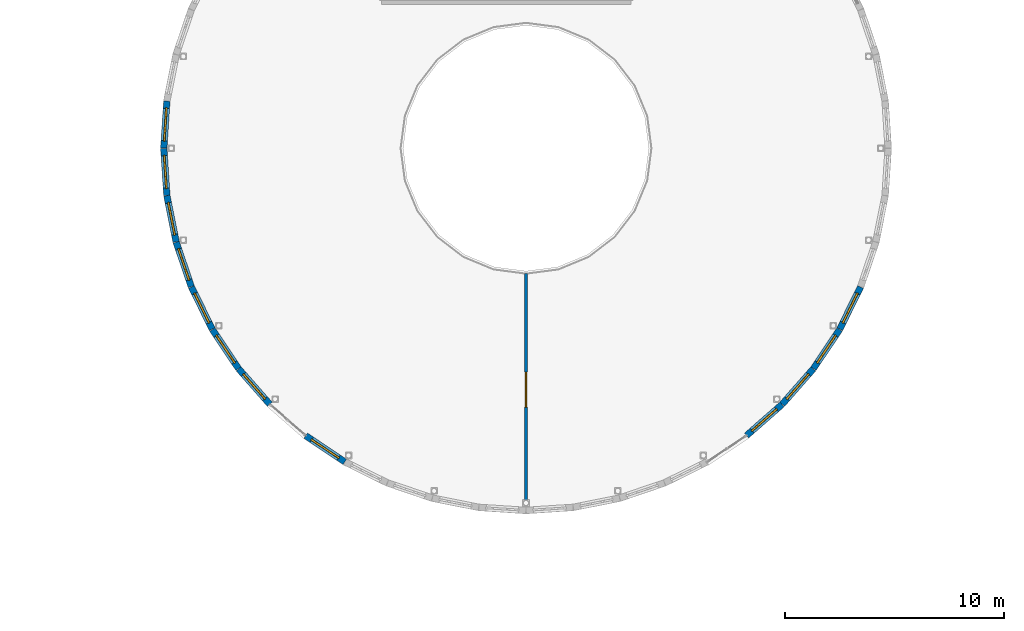
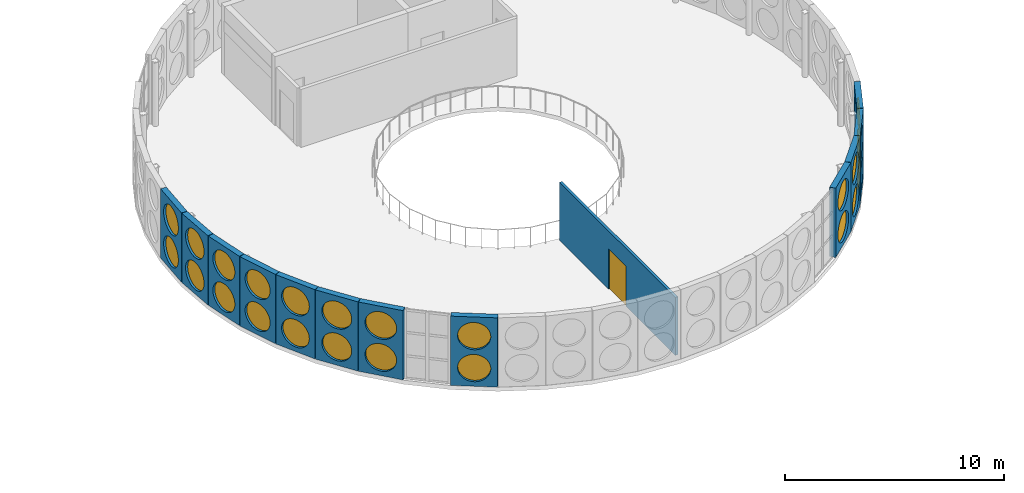
# One storey, part 86 of 114: 24 windows, 13 walls, 1 door, 25 openings.
"""IFC4 building model written with IfcOpenShell, lengths in metres."""

from ifc_helpers import new_model, si_unit, direction, frame, frame_2d, origin, place, context, subcontext, project, spatial, rectangle, circle, extrude, material, layer, layer_set, type_object, element, fill, save


model = new_model("IFC4")

# Units and contexts
model_context = context("Model", 3, precision=1e-05, world=origin(), true_north=direction((0.0, 1.0)))
body_context = subcontext(model_context, "Body", "Model", "MODEL_VIEW")
ifc_project = project(units=[si_unit("LENGTHUNIT", "METRE"), si_unit("AREAUNIT", "SQUARE_METRE"), si_unit("VOLUMEUNIT", "CUBIC_METRE"), si_unit("PLANEANGLEUNIT", "RADIAN"), si_unit("MASSUNIT", "GRAM", prefix="KILO")], contexts=[model_context])

# Site, building, storey
site_placement = place(None, origin())
site = spatial("IfcSite", under=ifc_project, at=site_placement, CompositionType="ELEMENT")
building_placement = place(site_placement, origin())
building = spatial("IfcBuilding", under=site, at=building_placement, Name="Montecoro Central Library", CompositionType="ELEMENT")
storey_placement = place(building_placement, frame((0.0, 0.0, 13.260009765625)))
storey = spatial("IfcBuildingStorey", under=building, at=storey_placement, Name="L03", CompositionType="ELEMENT", Elevation=13.260009765625)

# Wall, openings, windows
ifc_material_1 = material(Name="Travertine Roman Stone and concrete C35/45", Category="masonry")
ifc_layer_1 = layer(ifc_material_1, 0.294921875)
ifc_layer_set_1 = layer_set([ifc_layer_1], Name="Travertine Roman Stone and concrete C35/45")
wall_type_1 = type_object("IfcWallType", Name="EW-DRM-295", PredefinedType="SOLIDWALL", material=ifc_layer_set_1)
wall_1_placement = place(storey_placement, frame((75.219970703125, 37.548095703125, 0.0), z_axis=(0.0, 0.0, 1.0), x_axis=(-0.064773567518, -0.997899987449, 0.0)))
wall_1 = element("IfcWall", 1, at=wall_1_placement, inside=storey, type_object=wall_type_1, Name="V1-L03-EW-24", PredefinedType="SOLIDWALL", context=body_context, shape_type="SweptSolid", body=[
    extrude(rectangle(XDim=2.14453125, YDim=0.294921875, at=frame_2d((1.072265625, 0.0))), origin(), (0.0, 0.0, 1.0), 3.85498046875),
])
opening_1_placement = place(wall_1_placement, frame((0.31201171875, 0.0, 0.25)))
opening_1 = element("IfcOpeningElement", 2, at=opening_1_placement, cuts=wall_1, Name="Opening WP-06", PredefinedType="OPENING", context=body_context, shape_type="SweptSolid", body=[
    extrude(circle(Radius=0.760009765625, at=frame_2d((0.760009765625, 0.760009765625))), frame((0.0, 0.157470703125, 0.0), z_axis=(0.0, -1.0, 0.0), x_axis=(1.0, 0.0, 0.0)), (0.0, 0.0, 1.0), 0.31494140625),
])
opening_2_placement = place(wall_1_placement, frame((0.31201171875, 0.0, 2.030029296875)))
opening_2 = element("IfcOpeningElement", 3, at=opening_2_placement, cuts=wall_1, Name="Opening WP-05", PredefinedType="OPENING", context=body_context, shape_type="SweptSolid", body=[
    extrude(circle(Radius=0.760009765625, at=frame_2d((0.760009765625, 0.760009765625))), frame((0.0, 0.157470703125, 0.0), z_axis=(0.0, -1.0, 0.0), x_axis=(1.0, 0.0, 0.0)), (0.0, 0.0, 1.0), 0.31494140625),
])
ifc_material_2 = material(Name="Clear sky-blue low-E laminated glazing", Category="glass")
window_type_1 = type_object("IfcWindowType", Name="WN-POR-CLR-152", PartitioningType="SINGLE_PANEL", PredefinedType="WINDOW", material=ifc_material_2)
window_1_placement = place(opening_2_placement, origin())
window_1 = element("IfcWindow", 4, at=window_1_placement, inside=storey, type_object=window_type_1, Name="V1-L03-WP-24-2", OverallHeight=1.52001953125, OverallWidth=1.52001953125, PartitioningType="SINGLE_PANEL", PredefinedType="WINDOW", context=body_context, shape_type="SweptSolid", body=[
    extrude(circle(Radius=0.760009765625, at=frame_2d((0.760009765625, 0.760009765625))), frame((0.0, 0.030029296875, 0.0), z_axis=(0.0, -1.0, 0.0), x_axis=(1.0, 0.0, 0.0)), (0.0, 0.0, 1.0), 0.06005859375),
])
fill(opening_2, window_1)
ifc_material_3 = material(Name="Frosted pearl-white ceramic-fritted glazing", Category="glass")
window_type_2 = type_object("IfcWindowType", Name="WN-POR-FRT-152", PartitioningType="SINGLE_PANEL", PredefinedType="WINDOW", material=ifc_material_3)
window_2_placement = place(opening_1_placement, origin())
window_2 = element("IfcWindow", 5, at=window_2_placement, inside=storey, type_object=window_type_2, Name="V1-L03-WP-24-1", OverallHeight=1.52001953125, OverallWidth=1.52001953125, PartitioningType="SINGLE_PANEL", PredefinedType="WINDOW", context=body_context, shape_type="SweptSolid", body=[
    extrude(circle(Radius=0.760009765625, at=frame_2d((0.760009765625, 0.760009765625))), frame((0.0, 0.030029296875, 0.0), z_axis=(0.0, -1.0, 0.0), x_axis=(1.0, 0.0, 0.0)), (0.0, 0.0, 1.0), 0.06005859375),
])
fill(opening_1, window_2)

wall_2_placement = place(storey_placement, frame((75.0810546875, 35.39208984375, 0.0), z_axis=(0.0, 0.0, 1.0), x_axis=(0.064773567518, -0.997899987449, 0.0)))
wall_2 = element("IfcWall", 6, at=wall_2_placement, inside=storey, type_object=wall_type_1, Name="V1-L03-EW-25", PredefinedType="SOLIDWALL", context=body_context, shape_type="SweptSolid", body=[
    extrude(rectangle(XDim=2.14453125, YDim=0.294921875, at=frame_2d((1.072265625, 0.0))), origin(), (0.0, 0.0, 1.0), 3.85498046875),
])
opening_3_placement = place(wall_2_placement, frame((0.31201171875, 0.0, 0.25)))
opening_3 = element("IfcOpeningElement", 7, at=opening_3_placement, cuts=wall_2, Name="Opening WP-05", PredefinedType="OPENING", context=body_context, shape_type="SweptSolid", body=[
    extrude(circle(Radius=0.760009765625, at=frame_2d((0.760009765625, 0.760009765625))), frame((0.0, 0.157470703125, 0.0), z_axis=(0.0, -1.0, 0.0), x_axis=(1.0, 0.0, 0.0)), (0.0, 0.0, 1.0), 0.31494140625),
])
opening_4_placement = place(wall_2_placement, frame((0.31201171875, 0.0, 2.030029296875)))
opening_4 = element("IfcOpeningElement", 8, at=opening_4_placement, cuts=wall_2, Name="Opening WP-06", PredefinedType="OPENING", context=body_context, shape_type="SweptSolid", body=[
    extrude(circle(Radius=0.760009765625, at=frame_2d((0.760009765625, 0.760009765625))), frame((0.0, 0.157470703125, 0.0), z_axis=(0.0, -1.0, 0.0), x_axis=(1.0, 0.0, 0.0)), (0.0, 0.0, 1.0), 0.31494140625),
])
window_3_placement = place(opening_3_placement, origin())
window_3 = element("IfcWindow", 9, at=window_3_placement, inside=storey, type_object=window_type_1, Name="V1-L03-WP-25-1", OverallHeight=1.52001953125, OverallWidth=1.52001953125, PartitioningType="SINGLE_PANEL", PredefinedType="WINDOW", context=body_context, shape_type="SweptSolid", body=[
    extrude(circle(Radius=0.760009765625, at=frame_2d((0.760009765625, 0.760009765625))), frame((0.0, 0.030029296875, 0.0), z_axis=(0.0, -1.0, 0.0), x_axis=(1.0, 0.0, 0.0)), (0.0, 0.0, 1.0), 0.06005859375),
])
fill(opening_3, window_3)
window_4_placement = place(opening_4_placement, origin())
window_4 = element("IfcWindow", 10, at=window_4_placement, inside=storey, type_object=window_type_2, Name="V1-L03-WP-25-2", OverallHeight=1.52001953125, OverallWidth=1.52001953125, PartitioningType="SINGLE_PANEL", PredefinedType="WINDOW", context=body_context, shape_type="SweptSolid", body=[
    extrude(circle(Radius=0.760009765625, at=frame_2d((0.760009765625, 0.760009765625))), frame((0.0, 0.030029296875, 0.0), z_axis=(0.0, -1.0, 0.0), x_axis=(1.0, 0.0, 0.0)), (0.0, 0.0, 1.0), 0.06005859375),
])
fill(opening_4, window_4)

wall_3_placement = place(storey_placement, frame((75.222900390625, 33.236083984375, 0.0), z_axis=(0.0, 0.0, 1.0), x_axis=(0.194956014446, -0.98081198628, 0.0)))
wall_3 = element("IfcWall", 11, at=wall_3_placement, inside=storey, type_object=wall_type_1, Name="V1-L03-EW-26", PredefinedType="SOLIDWALL", context=body_context, shape_type="SweptSolid", body=[
    extrude(rectangle(XDim=2.145263671875, YDim=0.294921875, at=frame_2d((1.07275390625, 0.0))), origin(), (0.0, 0.0, 1.0), 3.85498046875),
])
opening_5_placement = place(wall_3_placement, frame((0.31298828125, 0.0, 0.25)))
opening_5 = element("IfcOpeningElement", 12, at=opening_5_placement, cuts=wall_3, Name="Opening WP-06", PredefinedType="OPENING", context=body_context, shape_type="SweptSolid", body=[
    extrude(circle(Radius=0.760009765625, at=frame_2d((0.760009765625, 0.760009765625))), frame((0.0, 0.157470703125, 0.0), z_axis=(0.0, -1.0, 0.0), x_axis=(1.0, 0.0, 0.0)), (0.0, 0.0, 1.0), 0.31494140625),
])
opening_6_placement = place(wall_3_placement, frame((0.31298828125, 0.0, 2.030029296875)))
opening_6 = element("IfcOpeningElement", 13, at=opening_6_placement, cuts=wall_3, Name="Opening WP-05", PredefinedType="OPENING", context=body_context, shape_type="SweptSolid", body=[
    extrude(circle(Radius=0.760009765625, at=frame_2d((0.760009765625, 0.760009765625))), frame((0.0, 0.157470703125, 0.0), z_axis=(0.0, -1.0, 0.0), x_axis=(1.0, 0.0, 0.0)), (0.0, 0.0, 1.0), 0.31494140625),
])
window_5_placement = place(opening_6_placement, origin())
window_5 = element("IfcWindow", 14, at=window_5_placement, inside=storey, type_object=window_type_1, Name="V1-L03-WP-26-2", OverallHeight=1.52001953125, OverallWidth=1.52001953125, PartitioningType="SINGLE_PANEL", PredefinedType="WINDOW", context=body_context, shape_type="SweptSolid", body=[
    extrude(circle(Radius=0.760009765625, at=frame_2d((0.760009765625, 0.760009765625))), frame((0.0, 0.030029296875, 0.0), z_axis=(0.0, -1.0, 0.0), x_axis=(1.0, 0.0, 0.0)), (0.0, 0.0, 1.0), 0.06005859375),
])
fill(opening_6, window_5)
window_6_placement = place(opening_5_placement, origin())
window_6 = element("IfcWindow", 15, at=window_6_placement, inside=storey, type_object=window_type_2, Name="V1-L03-WP-26-1", OverallHeight=1.52001953125, OverallWidth=1.52001953125, PartitioningType="SINGLE_PANEL", PredefinedType="WINDOW", context=body_context, shape_type="SweptSolid", body=[
    extrude(circle(Radius=0.760009765625, at=frame_2d((0.760009765625, 0.760009765625))), frame((0.0, 0.030029296875, 0.0), z_axis=(0.0, -1.0, 0.0), x_axis=(1.0, 0.0, 0.0)), (0.0, 0.0, 1.0), 0.06005859375),
])
fill(opening_5, window_6)

wall_4_placement = place(storey_placement, frame((75.64599609375, 31.115966796875, 0.0), z_axis=(0.0, 0.0, 1.0), x_axis=(0.321382058047, -0.946949614692, 0.0)))
wall_4 = element("IfcWall", 16, at=wall_4_placement, inside=storey, type_object=wall_type_1, Name="V1-L03-EW-27", PredefinedType="SOLIDWALL", context=body_context, shape_type="SweptSolid", body=[
    extrude(rectangle(XDim=2.143798828125, YDim=0.294921875, at=frame_2d((1.07177734375, 0.0))), origin(), (0.0, 0.0, 1.0), 3.85498046875),
])
opening_7_placement = place(wall_4_placement, frame((0.31201171875, 0.0, 0.25)))
opening_7 = element("IfcOpeningElement", 17, at=opening_7_placement, cuts=wall_4, Name="Opening WP-05", PredefinedType="OPENING", context=body_context, shape_type="SweptSolid", body=[
    extrude(circle(Radius=0.760009765625, at=frame_2d((0.760009765625, 0.760009765625))), frame((0.0, 0.157470703125, 0.0), z_axis=(0.0, -1.0, 0.0), x_axis=(1.0, 0.0, 0.0)), (0.0, 0.0, 1.0), 0.31494140625),
])
opening_8_placement = place(wall_4_placement, frame((0.31201171875, 0.0, 2.030029296875)))
opening_8 = element("IfcOpeningElement", 18, at=opening_8_placement, cuts=wall_4, Name="Opening WP-06", PredefinedType="OPENING", context=body_context, shape_type="SweptSolid", body=[
    extrude(circle(Radius=0.760009765625, at=frame_2d((0.760009765625, 0.760009765625))), frame((0.0, 0.157470703125, 0.0), z_axis=(0.0, -1.0, 0.0), x_axis=(1.0, 0.0, 0.0)), (0.0, 0.0, 1.0), 0.31494140625),
])
window_7_placement = place(opening_7_placement, origin())
window_7 = element("IfcWindow", 19, at=window_7_placement, inside=storey, type_object=window_type_1, Name="V1-L03-WP-27-1", OverallHeight=1.52001953125, OverallWidth=1.52001953125, PartitioningType="SINGLE_PANEL", PredefinedType="WINDOW", context=body_context, shape_type="SweptSolid", body=[
    extrude(circle(Radius=0.760009765625, at=frame_2d((0.760009765625, 0.760009765625))), frame((0.0, 0.030029296875, 0.0), z_axis=(0.0, -1.0, 0.0), x_axis=(1.0, 0.0, 0.0)), (0.0, 0.0, 1.0), 0.06005859375),
])
fill(opening_7, window_7)
window_8_placement = place(opening_8_placement, origin())
window_8 = element("IfcWindow", 20, at=window_8_placement, inside=storey, type_object=window_type_2, Name="V1-L03-WP-27-2", OverallHeight=1.52001953125, OverallWidth=1.52001953125, PartitioningType="SINGLE_PANEL", PredefinedType="WINDOW", context=body_context, shape_type="SweptSolid", body=[
    extrude(circle(Radius=0.760009765625, at=frame_2d((0.760009765625, 0.760009765625))), frame((0.0, 0.030029296875, 0.0), z_axis=(0.0, -1.0, 0.0), x_axis=(1.0, 0.0, 0.0)), (0.0, 0.0, 1.0), 0.06005859375),
])
fill(opening_8, window_8)

wall_5_placement = place(storey_placement, frame((76.342041015625, 29.071044921875, 0.0), z_axis=(0.0, 0.0, 1.0), x_axis=(0.441603666205, -0.897210232885, 0.0)))
wall_5 = element("IfcWall", 21, at=wall_5_placement, inside=storey, type_object=wall_type_1, Name="V1-L03-EW-28", PredefinedType="SOLIDWALL", context=body_context, shape_type="SweptSolid", body=[
    extrude(rectangle(XDim=2.14453125, YDim=0.294921875, at=frame_2d((1.072265625, 0.0))), origin(), (0.0, 0.0, 1.0), 3.85498046875),
])
opening_9_placement = place(wall_5_placement, frame((0.31201171875, 0.0, 0.25)))
opening_9 = element("IfcOpeningElement", 22, at=opening_9_placement, cuts=wall_5, Name="Opening WP-06", PredefinedType="OPENING", context=body_context, shape_type="SweptSolid", body=[
    extrude(circle(Radius=0.760009765625, at=frame_2d((0.760009765625, 0.760009765625))), frame((0.0, 0.157470703125, 0.0), z_axis=(0.0, -1.0, 0.0), x_axis=(1.0, 0.0, 0.0)), (0.0, 0.0, 1.0), 0.31494140625),
])
opening_10_placement = place(wall_5_placement, frame((0.31201171875, 0.0, 2.030029296875)))
opening_10 = element("IfcOpeningElement", 23, at=opening_10_placement, cuts=wall_5, Name="Opening WP-05", PredefinedType="OPENING", context=body_context, shape_type="SweptSolid", body=[
    extrude(circle(Radius=0.760009765625, at=frame_2d((0.760009765625, 0.760009765625))), frame((0.0, 0.157470703125, 0.0), z_axis=(0.0, -1.0, 0.0), x_axis=(1.0, 0.0, 0.0)), (0.0, 0.0, 1.0), 0.31494140625),
])
window_9_placement = place(opening_10_placement, origin())
window_9 = element("IfcWindow", 24, at=window_9_placement, inside=storey, type_object=window_type_1, Name="V1-L03-WP-28-2", OverallHeight=1.52001953125, OverallWidth=1.52001953125, PartitioningType="SINGLE_PANEL", PredefinedType="WINDOW", context=body_context, shape_type="SweptSolid", body=[
    extrude(circle(Radius=0.760009765625, at=frame_2d((0.760009765625, 0.760009765625))), frame((0.0, 0.030029296875, 0.0), z_axis=(0.0, -1.0, 0.0), x_axis=(1.0, 0.0, 0.0)), (0.0, 0.0, 1.0), 0.06005859375),
])
fill(opening_10, window_9)
window_10_placement = place(opening_9_placement, origin())
window_10 = element("IfcWindow", 25, at=window_10_placement, inside=storey, type_object=window_type_2, Name="V1-L03-WP-28-1", OverallHeight=1.52001953125, OverallWidth=1.52001953125, PartitioningType="SINGLE_PANEL", PredefinedType="WINDOW", context=body_context, shape_type="SweptSolid", body=[
    extrude(circle(Radius=0.760009765625, at=frame_2d((0.760009765625, 0.760009765625))), frame((0.0, 0.030029296875, 0.0), z_axis=(0.0, -1.0, 0.0), x_axis=(1.0, 0.0, 0.0)), (0.0, 0.0, 1.0), 0.06005859375),
])
fill(opening_9, window_10)

wall_6_placement = place(storey_placement, frame((77.297119140625, 27.133056640625, 0.0), z_axis=(0.0, 0.0, 1.0), x_axis=(0.556065143197, -0.831138710759, 0.0)))
wall_6 = element("IfcWall", 26, at=wall_6_placement, inside=storey, type_object=wall_type_1, Name="V1-L03-EW-29", PredefinedType="SOLIDWALL", context=body_context, shape_type="SweptSolid", body=[
    extrude(rectangle(XDim=2.145263671875, YDim=0.294921875, at=frame_2d((1.07275390625, 0.0))), origin(), (0.0, 0.0, 1.0), 3.85498046875),
])
opening_11_placement = place(wall_6_placement, frame((0.31298828125, 0.0, 0.25)))
opening_11 = element("IfcOpeningElement", 27, at=opening_11_placement, cuts=wall_6, Name="Opening WP-05", PredefinedType="OPENING", context=body_context, shape_type="SweptSolid", body=[
    extrude(circle(Radius=0.760009765625, at=frame_2d((0.760009765625, 0.760009765625))), frame((0.0, 0.157470703125, 0.0), z_axis=(0.0, -1.0, 0.0), x_axis=(1.0, 0.0, 0.0)), (0.0, 0.0, 1.0), 0.31494140625),
])
opening_12_placement = place(wall_6_placement, frame((0.31298828125, 0.0, 2.030029296875)))
opening_12 = element("IfcOpeningElement", 28, at=opening_12_placement, cuts=wall_6, Name="Opening WP-06", PredefinedType="OPENING", context=body_context, shape_type="SweptSolid", body=[
    extrude(circle(Radius=0.760009765625, at=frame_2d((0.760009765625, 0.760009765625))), frame((0.0, 0.157470703125, 0.0), z_axis=(0.0, -1.0, 0.0), x_axis=(1.0, 0.0, 0.0)), (0.0, 0.0, 1.0), 0.31494140625),
])
window_11_placement = place(opening_11_placement, origin())
window_11 = element("IfcWindow", 29, at=window_11_placement, inside=storey, type_object=window_type_1, Name="V1-L03-WP-29-1", OverallHeight=1.52001953125, OverallWidth=1.52001953125, PartitioningType="SINGLE_PANEL", PredefinedType="WINDOW", context=body_context, shape_type="SweptSolid", body=[
    extrude(circle(Radius=0.760009765625, at=frame_2d((0.760009765625, 0.760009765625))), frame((0.0, 0.030029296875, 0.0), z_axis=(0.0, -1.0, 0.0), x_axis=(1.0, 0.0, 0.0)), (0.0, 0.0, 1.0), 0.06005859375),
])
fill(opening_11, window_11)
window_12_placement = place(opening_12_placement, origin())
window_12 = element("IfcWindow", 30, at=window_12_placement, inside=storey, type_object=window_type_2, Name="V1-L03-WP-29-2", OverallHeight=1.52001953125, OverallWidth=1.52001953125, PartitioningType="SINGLE_PANEL", PredefinedType="WINDOW", context=body_context, shape_type="SweptSolid", body=[
    extrude(circle(Radius=0.760009765625, at=frame_2d((0.760009765625, 0.760009765625))), frame((0.0, 0.030029296875, 0.0), z_axis=(0.0, -1.0, 0.0), x_axis=(1.0, 0.0, 0.0)), (0.0, 0.0, 1.0), 0.06005859375),
])
fill(opening_12, window_12)

wall_7_placement = place(storey_placement, frame((78.4990234375, 25.3369140625, 0.0), z_axis=(0.0, 0.0, 1.0), x_axis=(0.659744735503, -0.751489776362, 0.0)))
wall_7 = element("IfcWall", 31, at=wall_7_placement, inside=storey, type_object=wall_type_1, Name="V1-L03-EW-30", PredefinedType="SOLIDWALL", context=body_context, shape_type="SweptSolid", body=[
    extrude(rectangle(XDim=2.144775390625, YDim=0.294921875, at=frame_2d((1.072265625, 0.0))), origin(), (0.0, 0.0, 1.0), 3.85498046875),
])
opening_13_placement = place(wall_7_placement, frame((0.31201171875, 0.0, 0.25)))
opening_13 = element("IfcOpeningElement", 32, at=opening_13_placement, cuts=wall_7, Name="Opening WP-06", PredefinedType="OPENING", context=body_context, shape_type="SweptSolid", body=[
    extrude(circle(Radius=0.760009765625, at=frame_2d((0.760009765625, 0.760009765625))), frame((0.0, 0.157470703125, 0.0), z_axis=(0.0, -1.0, 0.0), x_axis=(1.0, 0.0, 0.0)), (0.0, 0.0, 1.0), 0.31494140625),
])
opening_14_placement = place(wall_7_placement, frame((0.31201171875, 0.0, 2.030029296875)))
opening_14 = element("IfcOpeningElement", 33, at=opening_14_placement, cuts=wall_7, Name="Opening WP-05", PredefinedType="OPENING", context=body_context, shape_type="SweptSolid", body=[
    extrude(circle(Radius=0.760009765625, at=frame_2d((0.760009765625, 0.760009765625))), frame((0.0, 0.157470703125, 0.0), z_axis=(0.0, -1.0, 0.0), x_axis=(1.0, 0.0, 0.0)), (0.0, 0.0, 1.0), 0.31494140625),
])
window_13_placement = place(opening_14_placement, origin())
window_13 = element("IfcWindow", 34, at=window_13_placement, inside=storey, type_object=window_type_1, Name="V1-L03-WP-30-2", OverallHeight=1.52001953125, OverallWidth=1.52001953125, PartitioningType="SINGLE_PANEL", PredefinedType="WINDOW", context=body_context, shape_type="SweptSolid", body=[
    extrude(circle(Radius=0.760009765625, at=frame_2d((0.760009765625, 0.760009765625))), frame((0.0, 0.030029296875, 0.0), z_axis=(0.0, -1.0, 0.0), x_axis=(1.0, 0.0, 0.0)), (0.0, 0.0, 1.0), 0.06005859375),
])
fill(opening_14, window_13)
window_14_placement = place(opening_13_placement, origin())
window_14 = element("IfcWindow", 35, at=window_14_placement, inside=storey, type_object=window_type_2, Name="V1-L03-WP-30-1", OverallHeight=1.52001953125, OverallWidth=1.52001953125, PartitioningType="SINGLE_PANEL", PredefinedType="WINDOW", context=body_context, shape_type="SweptSolid", body=[
    extrude(circle(Radius=0.760009765625, at=frame_2d((0.760009765625, 0.760009765625))), frame((0.0, 0.030029296875, 0.0), z_axis=(0.0, -1.0, 0.0), x_axis=(1.0, 0.0, 0.0)), (0.0, 0.0, 1.0), 0.06005859375),
])
fill(opening_13, window_14)

wall_8_placement = place(storey_placement, frame((81.550048828125, 22.2900390625, 0.0), z_axis=(0.0, 0.0, 1.0), x_axis=(0.831086112108, -0.556143753234, 0.0)))
wall_8 = element("IfcWall", 36, at=wall_8_placement, inside=storey, type_object=wall_type_1, Name="V1-L03-EW-32", PredefinedType="SOLIDWALL", context=body_context, shape_type="SweptSolid", body=[
    extrude(rectangle(XDim=2.145263671875, YDim=0.294921875, at=frame_2d((1.07275390625, 0.0))), origin(), (0.0, 0.0, 1.0), 3.85498046875),
])
opening_15_placement = place(wall_8_placement, frame((0.31298828125, 0.0, 0.25)))
opening_15 = element("IfcOpeningElement", 37, at=opening_15_placement, cuts=wall_8, Name="Opening WP-06", PredefinedType="OPENING", context=body_context, shape_type="SweptSolid", body=[
    extrude(circle(Radius=0.760009765625, at=frame_2d((0.760009765625, 0.760009765625))), frame((0.0, 0.157470703125, 0.0), z_axis=(0.0, -1.0, 0.0), x_axis=(1.0, 0.0, 0.0)), (0.0, 0.0, 1.0), 0.31494140625),
])
opening_16_placement = place(wall_8_placement, frame((0.31298828125, 0.0, 2.030029296875)))
opening_16 = element("IfcOpeningElement", 38, at=opening_16_placement, cuts=wall_8, Name="Opening WP-05", PredefinedType="OPENING", context=body_context, shape_type="SweptSolid", body=[
    extrude(circle(Radius=0.760009765625, at=frame_2d((0.760009765625, 0.760009765625))), frame((0.0, 0.157470703125, 0.0), z_axis=(0.0, -1.0, 0.0), x_axis=(1.0, 0.0, 0.0)), (0.0, 0.0, 1.0), 0.31494140625),
])
window_15_placement = place(opening_16_placement, origin())
window_15 = element("IfcWindow", 39, at=window_15_placement, inside=storey, type_object=window_type_1, Name="V1-L03-WP-32-2", OverallHeight=1.52001953125, OverallWidth=1.52001953125, PartitioningType="SINGLE_PANEL", PredefinedType="WINDOW", context=body_context, shape_type="SweptSolid", body=[
    extrude(circle(Radius=0.760009765625, at=frame_2d((0.760009765625, 0.760009765625))), frame((0.0, 0.030029296875, 0.0), z_axis=(0.0, -1.0, 0.0), x_axis=(1.0, 0.0, 0.0)), (0.0, 0.0, 1.0), 0.06005859375),
])
fill(opening_16, window_15)
window_16_placement = place(opening_15_placement, origin())
window_16 = element("IfcWindow", 40, at=window_16_placement, inside=storey, type_object=window_type_2, Name="V1-L03-WP-32-1", OverallHeight=1.52001953125, OverallWidth=1.52001953125, PartitioningType="SINGLE_PANEL", PredefinedType="WINDOW", context=body_context, shape_type="SweptSolid", body=[
    extrude(circle(Radius=0.760009765625, at=frame_2d((0.760009765625, 0.760009765625))), frame((0.0, 0.030029296875, 0.0), z_axis=(0.0, -1.0, 0.0), x_axis=(1.0, 0.0, 0.0)), (0.0, 0.0, 1.0), 0.06005859375),
])
fill(opening_15, window_16)

wall_9_placement = place(storey_placement, frame((101.6630859375, 22.299072265625, 0.0), z_axis=(0.0, 0.0, 1.0), x_axis=(0.751489776362, 0.659744735503, 0.0)))
wall_9 = element("IfcWall", 41, at=wall_9_placement, inside=storey, type_object=wall_type_1, Name="V1-L03-EW-42", PredefinedType="SOLIDWALL", context=body_context, shape_type="SweptSolid", body=[
    extrude(rectangle(XDim=2.144775390625, YDim=0.294921875, at=frame_2d((1.072265625, 0.0))), origin(), (0.0, 0.0, 1.0), 3.85498046875),
])
opening_17_placement = place(wall_9_placement, frame((0.31201171875, 0.0, 0.25)))
opening_17 = element("IfcOpeningElement", 42, at=opening_17_placement, cuts=wall_9, Name="Opening WP-06", PredefinedType="OPENING", context=body_context, shape_type="SweptSolid", body=[
    extrude(circle(Radius=0.760009765625, at=frame_2d((0.760009765625, 0.760009765625))), frame((0.0, 0.157470703125, 0.0), z_axis=(0.0, -1.0, 0.0), x_axis=(1.0, 0.0, 0.0)), (0.0, 0.0, 1.0), 0.31494140625),
])
opening_18_placement = place(wall_9_placement, frame((0.31201171875, 0.0, 2.030029296875)))
opening_18 = element("IfcOpeningElement", 43, at=opening_18_placement, cuts=wall_9, Name="Opening WP-05", PredefinedType="OPENING", context=body_context, shape_type="SweptSolid", body=[
    extrude(circle(Radius=0.760009765625, at=frame_2d((0.760009765625, 0.760009765625))), frame((0.0, 0.157470703125, 0.0), z_axis=(0.0, -1.0, 0.0), x_axis=(1.0, 0.0, 0.0)), (0.0, 0.0, 1.0), 0.31494140625),
])
window_17_placement = place(opening_18_placement, origin())
window_17 = element("IfcWindow", 44, at=window_17_placement, inside=storey, type_object=window_type_1, Name="V1-L03-WP-42-2", OverallHeight=1.52001953125, OverallWidth=1.52001953125, PartitioningType="SINGLE_PANEL", PredefinedType="WINDOW", context=body_context, shape_type="SweptSolid", body=[
    extrude(circle(Radius=0.760009765625, at=frame_2d((0.760009765625, 0.760009765625))), frame((0.0, 0.030029296875, 0.0), z_axis=(0.0, -1.0, 0.0), x_axis=(1.0, 0.0, 0.0)), (0.0, 0.0, 1.0), 0.06005859375),
])
fill(opening_18, window_17)
window_18_placement = place(opening_17_placement, origin())
window_18 = element("IfcWindow", 45, at=window_18_placement, inside=storey, type_object=window_type_2, Name="V1-L03-WP-42-1", OverallHeight=1.52001953125, OverallWidth=1.52001953125, PartitioningType="SINGLE_PANEL", PredefinedType="WINDOW", context=body_context, shape_type="SweptSolid", body=[
    extrude(circle(Radius=0.760009765625, at=frame_2d((0.760009765625, 0.760009765625))), frame((0.0, 0.030029296875, 0.0), z_axis=(0.0, -1.0, 0.0), x_axis=(1.0, 0.0, 0.0)), (0.0, 0.0, 1.0), 0.06005859375),
])
fill(opening_17, window_18)

wall_10_placement = place(storey_placement, frame((103.285888671875, 23.72509765625, 0.0), z_axis=(0.0, 0.0, 1.0), x_axis=(0.659744735503, 0.751489776362, 0.0)))
wall_10 = element("IfcWall", 46, at=wall_10_placement, inside=storey, type_object=wall_type_1, Name="V1-L03-EW-43", PredefinedType="SOLIDWALL", context=body_context, shape_type="SweptSolid", body=[
    extrude(rectangle(XDim=2.144775390625, YDim=0.294921875, at=frame_2d((1.072265625, 0.0))), origin(), (0.0, 0.0, 1.0), 3.85498046875),
])
opening_19_placement = place(wall_10_placement, frame((0.31201171875, 0.0, 0.25)))
opening_19 = element("IfcOpeningElement", 47, at=opening_19_placement, cuts=wall_10, Name="Opening WP-05", PredefinedType="OPENING", context=body_context, shape_type="SweptSolid", body=[
    extrude(circle(Radius=0.760009765625, at=frame_2d((0.760009765625, 0.760009765625))), frame((0.0, 0.157470703125, 0.0), z_axis=(0.0, -1.0, 0.0), x_axis=(1.0, 0.0, 0.0)), (0.0, 0.0, 1.0), 0.31494140625),
])
opening_20_placement = place(wall_10_placement, frame((0.31201171875, 0.0, 2.030029296875)))
opening_20 = element("IfcOpeningElement", 48, at=opening_20_placement, cuts=wall_10, Name="Opening WP-06", PredefinedType="OPENING", context=body_context, shape_type="SweptSolid", body=[
    extrude(circle(Radius=0.760009765625, at=frame_2d((0.760009765625, 0.760009765625))), frame((0.0, 0.157470703125, 0.0), z_axis=(0.0, -1.0, 0.0), x_axis=(1.0, 0.0, 0.0)), (0.0, 0.0, 1.0), 0.31494140625),
])
window_19_placement = place(opening_19_placement, origin())
window_19 = element("IfcWindow", 49, at=window_19_placement, inside=storey, type_object=window_type_1, Name="V1-L03-WP-43-1", OverallHeight=1.52001953125, OverallWidth=1.52001953125, PartitioningType="SINGLE_PANEL", PredefinedType="WINDOW", context=body_context, shape_type="SweptSolid", body=[
    extrude(circle(Radius=0.760009765625, at=frame_2d((0.760009765625, 0.760009765625))), frame((0.0, 0.030029296875, 0.0), z_axis=(0.0, -1.0, 0.0), x_axis=(1.0, 0.0, 0.0)), (0.0, 0.0, 1.0), 0.06005859375),
])
fill(opening_19, window_19)
window_20_placement = place(opening_20_placement, origin())
window_20 = element("IfcWindow", 50, at=window_20_placement, inside=storey, type_object=window_type_2, Name="V1-L03-WP-43-2", OverallHeight=1.52001953125, OverallWidth=1.52001953125, PartitioningType="SINGLE_PANEL", PredefinedType="WINDOW", context=body_context, shape_type="SweptSolid", body=[
    extrude(circle(Radius=0.760009765625, at=frame_2d((0.760009765625, 0.760009765625))), frame((0.0, 0.030029296875, 0.0), z_axis=(0.0, -1.0, 0.0), x_axis=(1.0, 0.0, 0.0)), (0.0, 0.0, 1.0), 0.06005859375),
])
fill(opening_20, window_20)

wall_11_placement = place(storey_placement, frame((104.7099609375, 25.35009765625, 0.0), z_axis=(0.0, 0.0, 1.0), x_axis=(0.556143753234, 0.831086112108, 0.0)))
wall_11 = element("IfcWall", 51, at=wall_11_placement, inside=storey, type_object=wall_type_1, Name="V1-L03-EW-44", PredefinedType="SOLIDWALL", context=body_context, shape_type="SweptSolid", body=[
    extrude(rectangle(XDim=2.145263671875, YDim=0.294921875, at=frame_2d((1.07275390625, 0.0))), origin(), (0.0, 0.0, 1.0), 3.85498046875),
])
opening_21_placement = place(wall_11_placement, frame((0.31298828125, 0.0, 0.25)))
opening_21 = element("IfcOpeningElement", 52, at=opening_21_placement, cuts=wall_11, Name="Opening WP-06", PredefinedType="OPENING", context=body_context, shape_type="SweptSolid", body=[
    extrude(circle(Radius=0.760009765625, at=frame_2d((0.760009765625, 0.760009765625))), frame((0.0, 0.157470703125, 0.0), z_axis=(0.0, -1.0, 0.0), x_axis=(1.0, 0.0, 0.0)), (0.0, 0.0, 1.0), 0.31494140625),
])
opening_22_placement = place(wall_11_placement, frame((0.31298828125, 0.0, 2.030029296875)))
opening_22 = element("IfcOpeningElement", 53, at=opening_22_placement, cuts=wall_11, Name="Opening WP-05", PredefinedType="OPENING", context=body_context, shape_type="SweptSolid", body=[
    extrude(circle(Radius=0.760009765625, at=frame_2d((0.760009765625, 0.760009765625))), frame((0.0, 0.157470703125, 0.0), z_axis=(0.0, -1.0, 0.0), x_axis=(1.0, 0.0, 0.0)), (0.0, 0.0, 1.0), 0.31494140625),
])
window_21_placement = place(opening_22_placement, origin())
window_21 = element("IfcWindow", 54, at=window_21_placement, inside=storey, type_object=window_type_1, Name="V1-L03-WP-44-2", OverallHeight=1.52001953125, OverallWidth=1.52001953125, PartitioningType="SINGLE_PANEL", PredefinedType="WINDOW", context=body_context, shape_type="SweptSolid", body=[
    extrude(circle(Radius=0.760009765625, at=frame_2d((0.760009765625, 0.760009765625))), frame((0.0, 0.030029296875, 0.0), z_axis=(0.0, -1.0, 0.0), x_axis=(1.0, 0.0, 0.0)), (0.0, 0.0, 1.0), 0.06005859375),
])
fill(opening_22, window_21)
window_22_placement = place(opening_21_placement, origin())
window_22 = element("IfcWindow", 55, at=window_22_placement, inside=storey, type_object=window_type_2, Name="V1-L03-WP-44-1", OverallHeight=1.52001953125, OverallWidth=1.52001953125, PartitioningType="SINGLE_PANEL", PredefinedType="WINDOW", context=body_context, shape_type="SweptSolid", body=[
    extrude(circle(Radius=0.760009765625, at=frame_2d((0.760009765625, 0.760009765625))), frame((0.0, 0.030029296875, 0.0), z_axis=(0.0, -1.0, 0.0), x_axis=(1.0, 0.0, 0.0)), (0.0, 0.0, 1.0), 0.06005859375),
])
fill(opening_21, window_22)

wall_12_placement = place(storey_placement, frame((105.910888671875, 27.14697265625, 0.0), z_axis=(0.0, 0.0, 1.0), x_axis=(0.441603666205, 0.897210232885, 0.0)))
wall_12 = element("IfcWall", 56, at=wall_12_placement, inside=storey, type_object=wall_type_1, Name="V1-L03-EW-45", PredefinedType="SOLIDWALL", context=body_context, shape_type="SweptSolid", body=[
    extrude(rectangle(XDim=2.14453125, YDim=0.294921875, at=frame_2d((1.072265625, 0.0))), origin(), (0.0, 0.0, 1.0), 3.85498046875),
])
opening_23_placement = place(wall_12_placement, frame((0.31201171875, 0.0, 0.25)))
opening_23 = element("IfcOpeningElement", 57, at=opening_23_placement, cuts=wall_12, Name="Opening WP-05", PredefinedType="OPENING", context=body_context, shape_type="SweptSolid", body=[
    extrude(circle(Radius=0.760009765625, at=frame_2d((0.760009765625, 0.760009765625))), frame((0.0, 0.157470703125, 0.0), z_axis=(0.0, -1.0, 0.0), x_axis=(1.0, 0.0, 0.0)), (0.0, 0.0, 1.0), 0.31494140625),
])
opening_24_placement = place(wall_12_placement, frame((0.31201171875, 0.0, 2.030029296875)))
opening_24 = element("IfcOpeningElement", 58, at=opening_24_placement, cuts=wall_12, Name="Opening WP-06", PredefinedType="OPENING", context=body_context, shape_type="SweptSolid", body=[
    extrude(circle(Radius=0.760009765625, at=frame_2d((0.760009765625, 0.760009765625))), frame((0.0, 0.157470703125, 0.0), z_axis=(0.0, -1.0, 0.0), x_axis=(1.0, 0.0, 0.0)), (0.0, 0.0, 1.0), 0.31494140625),
])
window_23_placement = place(opening_23_placement, origin())
window_23 = element("IfcWindow", 59, at=window_23_placement, inside=storey, type_object=window_type_1, Name="V1-L03-WP-45-1", OverallHeight=1.52001953125, OverallWidth=1.52001953125, PartitioningType="SINGLE_PANEL", PredefinedType="WINDOW", context=body_context, shape_type="SweptSolid", body=[
    extrude(circle(Radius=0.760009765625, at=frame_2d((0.760009765625, 0.760009765625))), frame((0.0, 0.030029296875, 0.0), z_axis=(0.0, -1.0, 0.0), x_axis=(1.0, 0.0, 0.0)), (0.0, 0.0, 1.0), 0.06005859375),
])
fill(opening_23, window_23)
window_24_placement = place(opening_24_placement, origin())
window_24 = element("IfcWindow", 60, at=window_24_placement, inside=storey, type_object=window_type_2, Name="V1-L03-WP-45-2", OverallHeight=1.52001953125, OverallWidth=1.52001953125, PartitioningType="SINGLE_PANEL", PredefinedType="WINDOW", context=body_context, shape_type="SweptSolid", body=[
    extrude(circle(Radius=0.760009765625, at=frame_2d((0.760009765625, 0.760009765625))), frame((0.0, 0.030029296875, 0.0), z_axis=(0.0, -1.0, 0.0), x_axis=(1.0, 0.0, 0.0)), (0.0, 0.0, 1.0), 0.06005859375),
])
fill(opening_24, window_24)

# Wall, opening, door
ifc_material_4 = material(Name="Gypsum metal-stud partition")
ifc_layer_2 = layer(ifc_material_4, 0.139892578125)
ifc_layer_set_2 = layer_set([ifc_layer_2], Name="Gypsum metal-stud partition")
wall_type_2 = type_object("IfcWallType", Name="IW-PRT-140", PredefinedType="PARTITIONING", material=ifc_layer_set_2)
wall_13_placement = place(storey_placement, frame((91.60009765625, 19.10009765625, 0.0), z_axis=(0.0, 0.0, 1.0), x_axis=(0.0, 1.0, 0.0)))
wall_13 = element("IfcWall", 61, at=wall_13_placement, inside=storey, type_object=wall_type_2, Name="V1-L03-SPINE-S", PredefinedType="PARTITIONING", context=body_context, shape_type="SweptSolid", body=[
    extrude(rectangle(XDim=10.579833984375, YDim=0.139892578125, at=frame_2d((5.2900390625, 0.0))), origin(), (0.0, 0.0, 1.0), 3.22998046875),
])
opening_25_placement = place(wall_13_placement, frame((4.489990234375, 0.0, 0.0)))
opening_25 = element("IfcOpeningElement", 62, at=opening_25_placement, cuts=wall_13, Name="Opening ID-06", PredefinedType="OPENING", context=body_context, shape_type="SweptSolid", body=[
    extrude(rectangle(XDim=1.60009765625, YDim=2.25, at=frame_2d((0.800048828125, 1.125))), frame((0.0, 0.079833984375, 0.0), z_axis=(0.0, -1.0, 0.0), x_axis=(1.0, 0.0, 0.0)), (0.0, 0.0, 1.0), 0.159912109375),
])
ifc_material_5 = material(Name="Solid oak and fire-rated steel door", Category="steel")
door_type = type_object("IfcDoorType", Name="ID-COR-160", OperationType="NOTDEFINED", PredefinedType="DOOR", material=ifc_material_5)
door_placement = place(opening_25_placement, origin())
door = element("IfcDoor", 63, at=door_placement, inside=storey, type_object=door_type, Name="V1-L03-DR-SPINE", OperationType="DOUBLE_DOOR_SINGLE_SWING", OverallHeight=2.25, OverallWidth=1.60009765625, PredefinedType="DOOR", context=body_context, shape_type="SweptSolid", body=[
    extrude(rectangle(XDim=1.60009765625, YDim=2.25, at=frame_2d((0.800048828125, 1.125))), frame((0.0, 0.02490234375, 0.0), z_axis=(0.0, -1.0, 0.0), x_axis=(1.0, 0.0, 0.0)), (0.0, 0.0, 1.0), 0.050048828125),
])
fill(opening_25, door)

save(model, "model.ifc")
